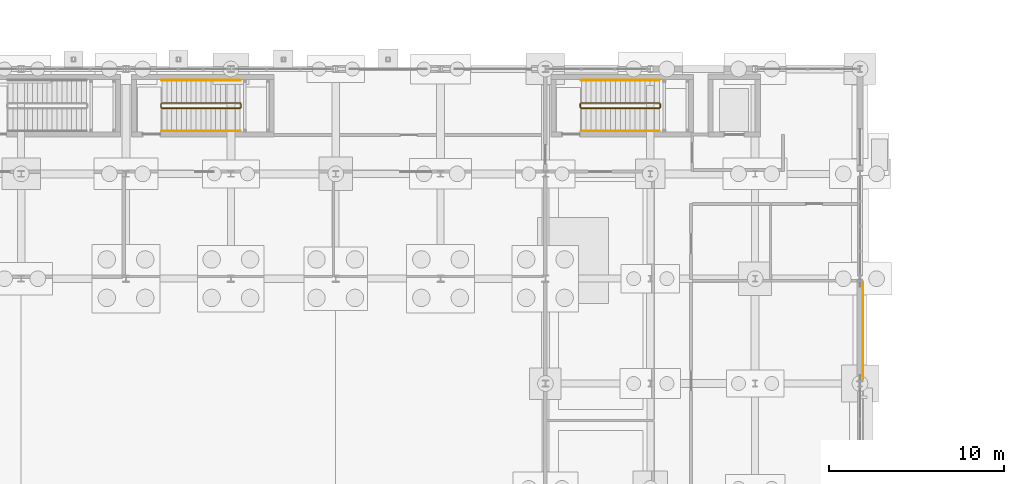
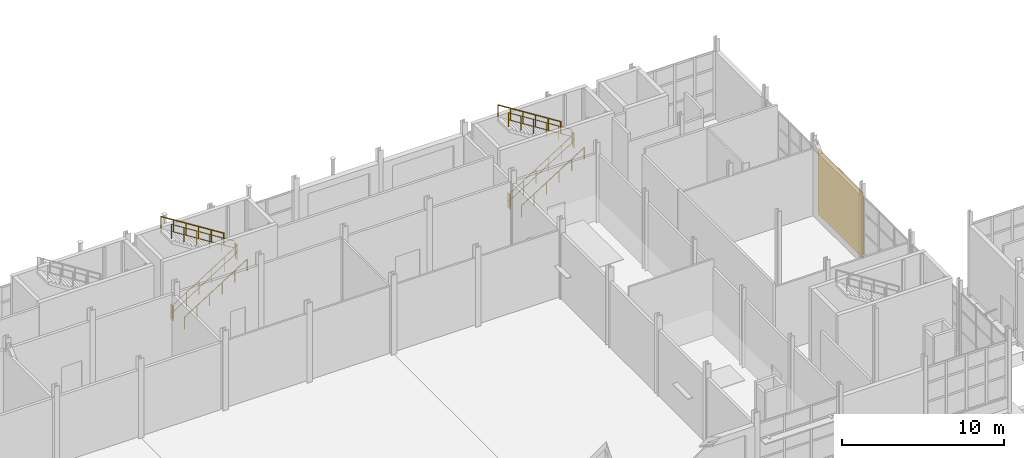
# One storey, part 115 of 120: 12 railings, 1 covering.
"""IFC4 building model written with IfcOpenShell, lengths in metres."""

from ifc_helpers import new_model, si_unit, direction, frame, origin, origin_2d, place, context, subcontext, project, spatial, rectangle, circle, extrude, material, layer, layer_set, type_object, element, save


model = new_model("IFC4")

# Units and contexts
model_context = context("Model", 3, precision=1e-05, world=origin(), true_north=direction((0.0, 1.0)))
body_context = subcontext(model_context, "Body", "Model", "MODEL_VIEW")
ifc_project = project(units=[si_unit("LENGTHUNIT", "METRE"), si_unit("AREAUNIT", "SQUARE_METRE"), si_unit("VOLUMEUNIT", "CUBIC_METRE"), si_unit("PLANEANGLEUNIT", "RADIAN"), si_unit("MASSUNIT", "GRAM", prefix="KILO")], contexts=[model_context])

# Site, building, storey
site_placement = place(None, origin())
site = spatial("IfcSite", under=ifc_project, at=site_placement, CompositionType="ELEMENT")
building_placement = place(site_placement, origin())
building = spatial("IfcBuilding", under=site, at=building_placement, Name="Siltcreek Boulevard Central Fire Station", CompositionType="ELEMENT")
storey_placement = place(building_placement, origin())
storey = spatial("IfcBuildingStorey", under=building, at=storey_placement, Name="L01", CompositionType="ELEMENT", Elevation=0.0)

# Covering
ifc_material_1 = material(Name="Crisp white ribbed aluminum facade panel", Category="aluminium")
ifc_layer = layer(ifc_material_1, 0.0400390625, Name="Crisp white ribbed aluminum facade panel")
ifc_layer_set = layer_set([ifc_layer], Name="Crisp white ribbed aluminum facade panel")
covering_type = type_object("IfcCoveringType", Name="COV_CLAD_WHITE", PredefinedType="CLADDING", material=ifc_layer_set)
covering_placement = place(storey_placement, frame((108.177978515625, 39.0, 0.0498046875), z_axis=(0.0, 0.0, 1.0), x_axis=(0.0, 1.0, 0.0)))
element("IfcCovering", 1, at=covering_placement, inside=storey, type_object=covering_type, Name="L01 V2 ventilated facade cladding panel CL-003", PredefinedType="CLADDING", context=body_context, shape_type="SweptSolid", body=[
    extrude(rectangle(XDim=5.550048828125, YDim=0.0400390625, at=origin_2d()), origin(), (0.0, 0.0, 1.0), 4.944091796875),
])

# Railings
ifc_material_2 = material(Name="Painted galvanized steel stair guard", Category="steel")
railing_type_1 = type_object("IfcRailingType", Name="RL_ST_GUARD", PredefinedType="BALUSTRADE", material=ifc_material_2)
railing_1_placement = place(storey_placement, frame((92.050048828125, 51.75, 0.176513671875)))
element("IfcRailing", 2, at=railing_1_placement, inside=storey, type_object=railing_type_1, Name="L01 ST-V2A stair guard 1", PredefinedType="BALUSTRADE", context=body_context, shape_type="SweptSolid", body=[
    extrude(circle(Radius=0.02392578125, at=origin_2d()), frame((0.0, 0.0, 1.076171875), z_axis=(0.845997938375, 0.0, 0.533186166611), x_axis=(0.0, 1.0, 0.0)), (0.0, 0.0, 1.0), 5.29541015625),
    extrude(circle(Radius=0.02392578125, at=origin_2d()), frame((0.0, 0.0, 0.550048828125), z_axis=(0.845997938375, 0.0, 0.533186166611), x_axis=(0.0, 1.0, 0.0)), (0.0, 0.0, 1.0), 5.29541015625),
    extrude(circle(Radius=0.02099609375, at=origin_2d()), origin(), (0.0, 0.0, 1.0), 1.052001953125),
    extrude(circle(Radius=0.02099609375, at=origin_2d()), frame((0.89599609375, 0.0, 0.564697265625)), (0.0, 0.0, 1.0), 1.052001953125),
    extrude(circle(Radius=0.02099609375, at=origin_2d()), frame((1.7919921875, 0.0, 1.12939453125)), (0.0, 0.0, 1.0), 1.052001953125),
    extrude(circle(Radius=0.02099609375, at=origin_2d()), frame((2.68798828125, 0.0, 1.694091796875)), (0.0, 0.0, 1.0), 1.052001953125),
    extrude(circle(Radius=0.02099609375, at=origin_2d()), frame((3.583984375, 0.0, 2.2587890625)), (0.0, 0.0, 1.0), 1.052001953125),
    extrude(circle(Radius=0.02099609375, at=origin_2d()), frame((4.47998046875, 0.0, 2.823486328125)), (0.0, 0.0, 1.0), 1.052001953125),
])
railing_2_placement = place(storey_placement, frame((96.580078125, 51.800048828125, 3.0)))
element("IfcRailing", 3, at=railing_2_placement, inside=storey, type_object=railing_type_1, Name="L01 ST-V2A stair guard 2", PredefinedType="BALUSTRADE", context=body_context, shape_type="SweptSolid", body=[
    extrude(circle(Radius=0.02392578125, at=origin_2d()), frame((0.0, 0.0, 1.076171875), z_axis=(0.0, 1.0, 0.0), x_axis=(-1.0, 0.0, 0.0)), (0.0, 0.0, 1.0), 0.199951171875),
    extrude(circle(Radius=0.02392578125, at=origin_2d()), frame((0.0, 0.0, 0.550048828125), z_axis=(0.0, 1.0, 0.0), x_axis=(-1.0, 0.0, 0.0)), (0.0, 0.0, 1.0), 0.199951171875),
    extrude(circle(Radius=0.02099609375, at=origin_2d()), origin(), (0.0, 0.0, 1.0), 1.052001953125),
    extrude(circle(Radius=0.02099609375, at=origin_2d()), frame((0.0, 0.199951171875, 0.0)), (0.0, 0.0, 1.0), 1.052001953125),
])
railing_3_placement = place(storey_placement, frame((96.530029296875, 52.050048828125, 3.176513671875)))
element("IfcRailing", 4, at=railing_3_placement, inside=storey, type_object=railing_type_1, Name="L01 ST-V2A stair guard 3", PredefinedType="BALUSTRADE", context=body_context, shape_type="SweptSolid", body=[
    extrude(circle(Radius=0.02392578125, at=origin_2d()), frame((0.0, 0.0, 1.076171875), z_axis=(-0.845997938375, 0.0, 0.533186166611), x_axis=(0.0, -1.0, 0.0)), (0.0, 0.0, 1.0), 5.29541015625),
    extrude(circle(Radius=0.02392578125, at=origin_2d()), frame((0.0, 0.0, 0.550048828125), z_axis=(-0.845997938375, 0.0, 0.533186166611), x_axis=(0.0, -1.0, 0.0)), (0.0, 0.0, 1.0), 5.29541015625),
    extrude(circle(Radius=0.02099609375, at=origin_2d()), origin(), (0.0, 0.0, 1.0), 1.052001953125),
    extrude(circle(Radius=0.02099609375, at=origin_2d()), frame((-0.89599609375, 0.0, 0.564697265625)), (0.0, 0.0, 1.0), 1.052001953125),
    extrude(circle(Radius=0.02099609375, at=origin_2d()), frame((-1.7919921875, 0.0, 1.12939453125)), (0.0, 0.0, 1.0), 1.052001953125),
    extrude(circle(Radius=0.02099609375, at=origin_2d()), frame((-2.68798828125, 0.0, 1.694091796875)), (0.0, 0.0, 1.0), 1.052001953125),
    extrude(circle(Radius=0.02099609375, at=origin_2d()), frame((-3.583984375, 0.0, 2.2587890625)), (0.0, 0.0, 1.0), 1.052001953125),
    extrude(circle(Radius=0.02099609375, at=origin_2d()), frame((-4.47998046875, 0.0, 2.823486328125)), (0.0, 0.0, 1.0), 1.052001953125),
])
railing_4_placement = place(storey_placement, frame((92.0, 51.800048828125, 0.0)))
element("IfcRailing", 5, at=railing_4_placement, inside=storey, type_object=railing_type_1, Name="L01 ST-V2A stair guard 4", PredefinedType="BALUSTRADE", context=body_context, shape_type="SweptSolid", body=[
    extrude(circle(Radius=0.02392578125, at=origin_2d()), frame((0.0, 0.0, 1.076171875), z_axis=(0.0, 1.0, 0.0), x_axis=(-1.0, 0.0, 0.0)), (0.0, 0.0, 1.0), 0.199951171875),
    extrude(circle(Radius=0.02392578125, at=origin_2d()), frame((0.0, 0.0, 0.550048828125), z_axis=(0.0, 1.0, 0.0), x_axis=(-1.0, 0.0, 0.0)), (0.0, 0.0, 1.0), 0.199951171875),
    extrude(circle(Radius=0.02099609375, at=origin_2d()), origin(), (0.0, 0.0, 1.0), 1.052001953125),
    extrude(circle(Radius=0.02099609375, at=origin_2d()), frame((0.0, 0.199951171875, 0.0)), (0.0, 0.0, 1.0), 1.052001953125),
])
railing_5_placement = place(storey_placement, frame((68.050048828125, 51.75, 0.176513671875)))
element("IfcRailing", 6, at=railing_5_placement, inside=storey, type_object=railing_type_1, Name="L01 ST-V2C stair guard 1", PredefinedType="BALUSTRADE", context=body_context, shape_type="SweptSolid", body=[
    extrude(circle(Radius=0.02392578125, at=origin_2d()), frame((0.0, 0.0, 1.076171875), z_axis=(0.845997938375, 0.0, 0.533186166611), x_axis=(0.0, 1.0, 0.0)), (0.0, 0.0, 1.0), 5.29541015625),
    extrude(circle(Radius=0.02392578125, at=origin_2d()), frame((0.0, 0.0, 0.550048828125), z_axis=(0.845997938375, 0.0, 0.533186166611), x_axis=(0.0, 1.0, 0.0)), (0.0, 0.0, 1.0), 5.29541015625),
    extrude(circle(Radius=0.02099609375, at=origin_2d()), origin(), (0.0, 0.0, 1.0), 1.052001953125),
    extrude(circle(Radius=0.02099609375, at=origin_2d()), frame((0.89599609375, 0.0, 0.564697265625)), (0.0, 0.0, 1.0), 1.052001953125),
    extrude(circle(Radius=0.02099609375, at=origin_2d()), frame((1.7919921875, 0.0, 1.12939453125)), (0.0, 0.0, 1.0), 1.052001953125),
    extrude(circle(Radius=0.02099609375, at=origin_2d()), frame((2.68798828125, 0.0, 1.694091796875)), (0.0, 0.0, 1.0), 1.052001953125),
    extrude(circle(Radius=0.02099609375, at=origin_2d()), frame((3.583984375, 0.0, 2.2587890625)), (0.0, 0.0, 1.0), 1.052001953125),
    extrude(circle(Radius=0.02099609375, at=origin_2d()), frame((4.47998046875, 0.0, 2.823486328125)), (0.0, 0.0, 1.0), 1.052001953125),
])
railing_6_placement = place(storey_placement, frame((72.580078125, 51.800048828125, 3.0)))
element("IfcRailing", 7, at=railing_6_placement, inside=storey, type_object=railing_type_1, Name="L01 ST-V2C stair guard 2", PredefinedType="BALUSTRADE", context=body_context, shape_type="SweptSolid", body=[
    extrude(circle(Radius=0.02392578125, at=origin_2d()), frame((0.0, 0.0, 1.076171875), z_axis=(0.0, 1.0, 0.0), x_axis=(-1.0, 0.0, 0.0)), (0.0, 0.0, 1.0), 0.199951171875),
    extrude(circle(Radius=0.02392578125, at=origin_2d()), frame((0.0, 0.0, 0.550048828125), z_axis=(0.0, 1.0, 0.0), x_axis=(-1.0, 0.0, 0.0)), (0.0, 0.0, 1.0), 0.199951171875),
    extrude(circle(Radius=0.02099609375, at=origin_2d()), origin(), (0.0, 0.0, 1.0), 1.052001953125),
    extrude(circle(Radius=0.02099609375, at=origin_2d()), frame((0.0, 0.199951171875, 0.0)), (0.0, 0.0, 1.0), 1.052001953125),
])
railing_7_placement = place(storey_placement, frame((72.530029296875, 52.050048828125, 3.176513671875)))
element("IfcRailing", 8, at=railing_7_placement, inside=storey, type_object=railing_type_1, Name="L01 ST-V2C stair guard 3", PredefinedType="BALUSTRADE", context=body_context, shape_type="SweptSolid", body=[
    extrude(circle(Radius=0.02392578125, at=origin_2d()), frame((0.0, 0.0, 1.076171875), z_axis=(-0.845997938375, 0.0, 0.533186166611), x_axis=(0.0, -1.0, 0.0)), (0.0, 0.0, 1.0), 5.29541015625),
    extrude(circle(Radius=0.02392578125, at=origin_2d()), frame((0.0, 0.0, 0.550048828125), z_axis=(-0.845997938375, 0.0, 0.533186166611), x_axis=(0.0, -1.0, 0.0)), (0.0, 0.0, 1.0), 5.29541015625),
    extrude(circle(Radius=0.02099609375, at=origin_2d()), origin(), (0.0, 0.0, 1.0), 1.052001953125),
    extrude(circle(Radius=0.02099609375, at=origin_2d()), frame((-0.89599609375, 0.0, 0.564697265625)), (0.0, 0.0, 1.0), 1.052001953125),
    extrude(circle(Radius=0.02099609375, at=origin_2d()), frame((-1.7919921875, 0.0, 1.12939453125)), (0.0, 0.0, 1.0), 1.052001953125),
    extrude(circle(Radius=0.02099609375, at=origin_2d()), frame((-2.68798828125, 0.0, 1.694091796875)), (0.0, 0.0, 1.0), 1.052001953125),
    extrude(circle(Radius=0.02099609375, at=origin_2d()), frame((-3.583984375, 0.0, 2.2587890625)), (0.0, 0.0, 1.0), 1.052001953125),
    extrude(circle(Radius=0.02099609375, at=origin_2d()), frame((-4.47998046875, 0.0, 2.823486328125)), (0.0, 0.0, 1.0), 1.052001953125),
])
railing_8_placement = place(storey_placement, frame((68.0, 51.800048828125, 0.0)))
element("IfcRailing", 9, at=railing_8_placement, inside=storey, type_object=railing_type_1, Name="L01 ST-V2C stair guard 4", PredefinedType="BALUSTRADE", context=body_context, shape_type="SweptSolid", body=[
    extrude(circle(Radius=0.02392578125, at=origin_2d()), frame((0.0, 0.0, 1.076171875), z_axis=(0.0, 1.0, 0.0), x_axis=(-1.0, 0.0, 0.0)), (0.0, 0.0, 1.0), 0.199951171875),
    extrude(circle(Radius=0.02392578125, at=origin_2d()), frame((0.0, 0.0, 0.550048828125), z_axis=(0.0, 1.0, 0.0), x_axis=(-1.0, 0.0, 0.0)), (0.0, 0.0, 1.0), 0.199951171875),
    extrude(circle(Radius=0.02099609375, at=origin_2d()), origin(), (0.0, 0.0, 1.0), 1.052001953125),
    extrude(circle(Radius=0.02099609375, at=origin_2d()), frame((0.0, 0.199951171875, 0.0)), (0.0, 0.0, 1.0), 1.052001953125),
])
ifc_material_3 = material(Name="Brushed stainless steel stair handrail", Category="steel")
railing_type_2 = type_object("IfcRailingType", Name="RL_ST_HAND", PredefinedType="HANDRAIL", material=ifc_material_3)
railing_9_placement = place(storey_placement, frame((92.050048828125, 50.449951171875, 0.176513671875)))
element("IfcRailing", 10, at=railing_9_placement, inside=storey, type_object=railing_type_2, Name="L01 ST-V2A stair handrail 1", PredefinedType="HANDRAIL", context=body_context, shape_type="SweptSolid", body=[
    extrude(circle(Radius=0.02392578125, at=origin_2d()), frame((0.0, 0.0, 0.8759765625), z_axis=(0.845997938375, 0.0, 0.533186166611), x_axis=(0.0, 1.0, 0.0)), (0.0, 0.0, 1.0), 5.29541015625),
    extrude(circle(Radius=0.02099609375, at=origin_2d()), origin(), (0.0, 0.0, 1.0), 0.851806640625),
    extrude(circle(Radius=0.02099609375, at=origin_2d()), frame((0.89599609375, 0.0, 0.564697265625)), (0.0, 0.0, 1.0), 0.851806640625),
    extrude(circle(Radius=0.02099609375, at=origin_2d()), frame((1.7919921875, 0.0, 1.12939453125)), (0.0, 0.0, 1.0), 0.851806640625),
    extrude(circle(Radius=0.02099609375, at=origin_2d()), frame((2.68798828125, 0.0, 1.694091796875)), (0.0, 0.0, 1.0), 0.851806640625),
    extrude(circle(Radius=0.02099609375, at=origin_2d()), frame((3.583984375, 0.0, 2.2587890625)), (0.0, 0.0, 1.0), 0.851806640625),
    extrude(circle(Radius=0.02099609375, at=origin_2d()), frame((4.47998046875, 0.0, 2.823486328125)), (0.0, 0.0, 1.0), 0.851806640625),
])
railing_10_placement = place(storey_placement, frame((96.530029296875, 53.35009765625, 3.176513671875)))
element("IfcRailing", 11, at=railing_10_placement, inside=storey, type_object=railing_type_2, Name="L01 ST-V2A stair handrail 2", PredefinedType="HANDRAIL", context=body_context, shape_type="SweptSolid", body=[
    extrude(circle(Radius=0.02392578125, at=origin_2d()), frame((0.0, 0.0, 0.8759765625), z_axis=(-0.845997938375, 0.0, 0.533186166611), x_axis=(0.0, -1.0, 0.0)), (0.0, 0.0, 1.0), 5.29541015625),
    extrude(circle(Radius=0.02099609375, at=origin_2d()), origin(), (0.0, 0.0, 1.0), 0.851806640625),
    extrude(circle(Radius=0.02099609375, at=origin_2d()), frame((-0.89599609375, 0.0, 0.564697265625)), (0.0, 0.0, 1.0), 0.851806640625),
    extrude(circle(Radius=0.02099609375, at=origin_2d()), frame((-1.7919921875, 0.0, 1.12939453125)), (0.0, 0.0, 1.0), 0.851806640625),
    extrude(circle(Radius=0.02099609375, at=origin_2d()), frame((-2.68798828125, 0.0, 1.694091796875)), (0.0, 0.0, 1.0), 0.851806640625),
    extrude(circle(Radius=0.02099609375, at=origin_2d()), frame((-3.583984375, 0.0, 2.2587890625)), (0.0, 0.0, 1.0), 0.851806640625),
    extrude(circle(Radius=0.02099609375, at=origin_2d()), frame((-4.47998046875, 0.0, 2.823486328125)), (0.0, 0.0, 1.0), 0.851806640625),
])
railing_11_placement = place(storey_placement, frame((68.050048828125, 50.449951171875, 0.176513671875)))
element("IfcRailing", 12, at=railing_11_placement, inside=storey, type_object=railing_type_2, Name="L01 ST-V2C stair handrail 1", PredefinedType="HANDRAIL", context=body_context, shape_type="SweptSolid", body=[
    extrude(circle(Radius=0.02392578125, at=origin_2d()), frame((0.0, 0.0, 0.8759765625), z_axis=(0.845997938375, 0.0, 0.533186166611), x_axis=(0.0, 1.0, 0.0)), (0.0, 0.0, 1.0), 5.29541015625),
    extrude(circle(Radius=0.02099609375, at=origin_2d()), origin(), (0.0, 0.0, 1.0), 0.851806640625),
    extrude(circle(Radius=0.02099609375, at=origin_2d()), frame((0.89599609375, 0.0, 0.564697265625)), (0.0, 0.0, 1.0), 0.851806640625),
    extrude(circle(Radius=0.02099609375, at=origin_2d()), frame((1.7919921875, 0.0, 1.12939453125)), (0.0, 0.0, 1.0), 0.851806640625),
    extrude(circle(Radius=0.02099609375, at=origin_2d()), frame((2.68798828125, 0.0, 1.694091796875)), (0.0, 0.0, 1.0), 0.851806640625),
    extrude(circle(Radius=0.02099609375, at=origin_2d()), frame((3.583984375, 0.0, 2.2587890625)), (0.0, 0.0, 1.0), 0.851806640625),
    extrude(circle(Radius=0.02099609375, at=origin_2d()), frame((4.47998046875, 0.0, 2.823486328125)), (0.0, 0.0, 1.0), 0.851806640625),
])
railing_12_placement = place(storey_placement, frame((72.530029296875, 53.35009765625, 3.176513671875)))
element("IfcRailing", 13, at=railing_12_placement, inside=storey, type_object=railing_type_2, Name="L01 ST-V2C stair handrail 2", PredefinedType="HANDRAIL", context=body_context, shape_type="SweptSolid", body=[
    extrude(circle(Radius=0.02392578125, at=origin_2d()), frame((0.0, 0.0, 0.8759765625), z_axis=(-0.845997938375, 0.0, 0.533186166611), x_axis=(0.0, -1.0, 0.0)), (0.0, 0.0, 1.0), 5.29541015625),
    extrude(circle(Radius=0.02099609375, at=origin_2d()), origin(), (0.0, 0.0, 1.0), 0.851806640625),
    extrude(circle(Radius=0.02099609375, at=origin_2d()), frame((-0.89599609375, 0.0, 0.564697265625)), (0.0, 0.0, 1.0), 0.851806640625),
    extrude(circle(Radius=0.02099609375, at=origin_2d()), frame((-1.7919921875, 0.0, 1.12939453125)), (0.0, 0.0, 1.0), 0.851806640625),
    extrude(circle(Radius=0.02099609375, at=origin_2d()), frame((-2.68798828125, 0.0, 1.694091796875)), (0.0, 0.0, 1.0), 0.851806640625),
    extrude(circle(Radius=0.02099609375, at=origin_2d()), frame((-3.583984375, 0.0, 2.2587890625)), (0.0, 0.0, 1.0), 0.851806640625),
    extrude(circle(Radius=0.02099609375, at=origin_2d()), frame((-4.47998046875, 0.0, 2.823486328125)), (0.0, 0.0, 1.0), 0.851806640625),
])

save(model, "model.ifc")
